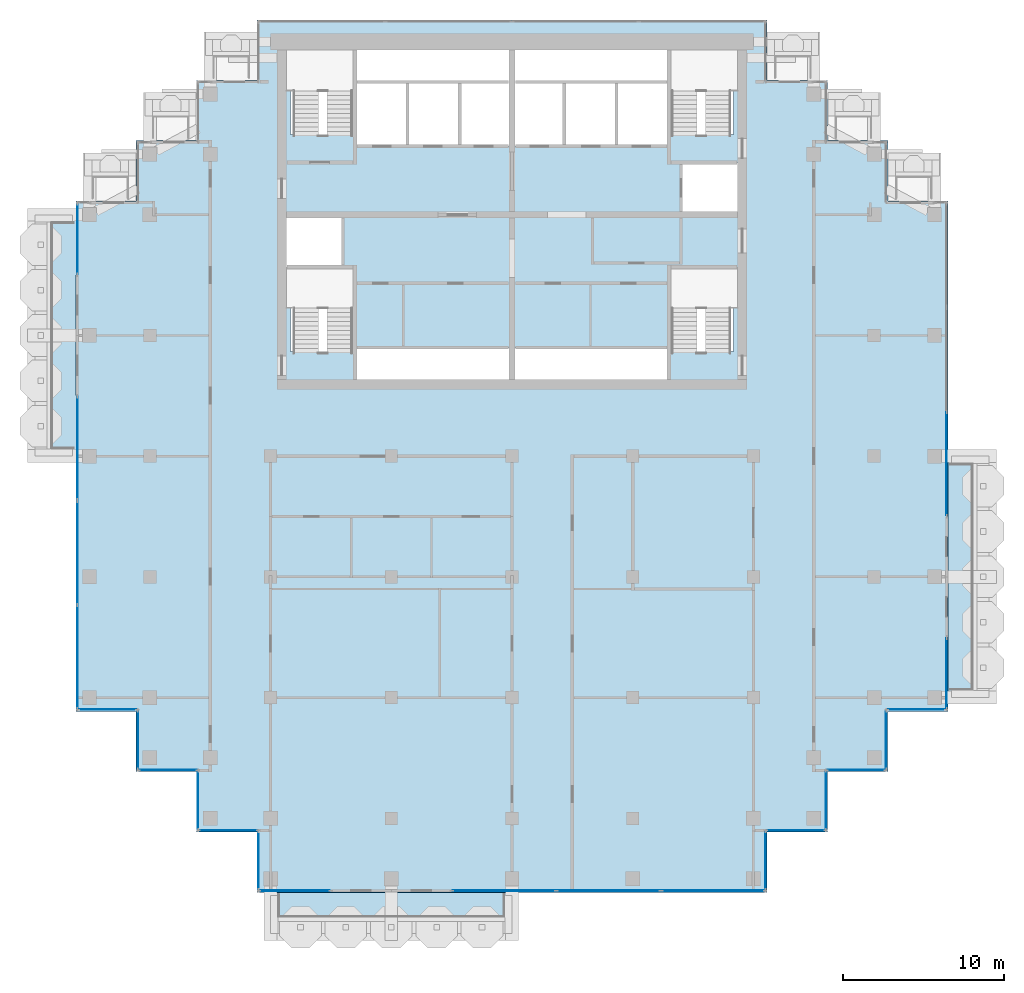
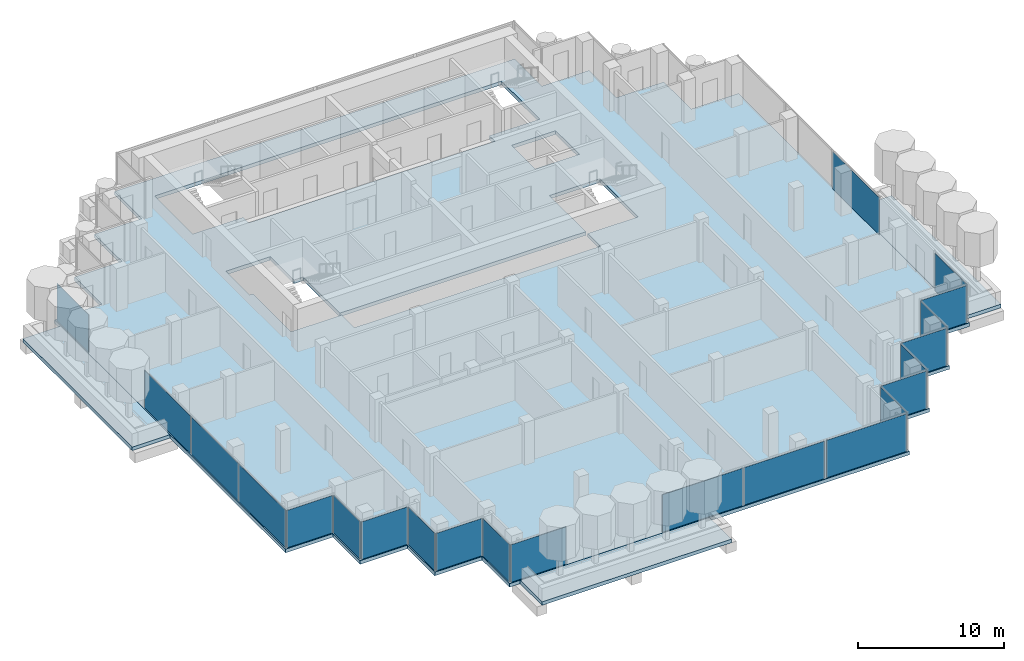
# One storey, part 8 of 18: 22 plates, 4 slabs, 20 elements without a shape of their own.
"""IFC4 building model written with IfcOpenShell, lengths in metres."""

from ifc_helpers import new_model, si_unit, direction, frame, origin, origin_2d, place, context, subcontext, project, spatial, polyline, rectangle, outline, extrude, material, layer, layer_set, type_object, element, aggregate, save


model = new_model("IFC4")

# Units and contexts
model_context = context("Model", 3, precision=1e-05, world=origin(), true_north=direction((0.0, 1.0)))
body_context = subcontext(model_context, "Body", "Model", "MODEL_VIEW")
ifc_project = project(units=[si_unit("LENGTHUNIT", "METRE"), si_unit("AREAUNIT", "SQUARE_METRE"), si_unit("VOLUMEUNIT", "CUBIC_METRE"), si_unit("PLANEANGLEUNIT", "RADIAN"), si_unit("MASSUNIT", "GRAM", prefix="KILO")], contexts=[model_context])

# Site, building, storey
site_placement = place(None, origin())
site = spatial("IfcSite", under=ifc_project, at=site_placement, CompositionType="ELEMENT")
building_placement = place(site_placement, origin())
building = spatial("IfcBuilding", under=site, at=building_placement, Name="Pilkhan Gate Tower", CompositionType="ELEMENT")
storey_placement = place(building_placement, frame((0.0, 0.0, 235.5)))
storey = spatial("IfcBuildingStorey", under=building, at=storey_placement, Name="L61", CompositionType="ELEMENT", Elevation=235.5)

# Slabs
ifc_material_1 = material(Name="Concrete C60/75", Category="concrete")
ifc_layer_1 = layer(ifc_material_1, 0.300048828125)
ifc_layer_set_1 = layer_set([ifc_layer_1], Name="Balcony tray slab TR300")
slab_type_1 = type_object("IfcSlabType", Name="Balcony tray slab TR300", PredefinedType="FLOOR", material=ifc_layer_set_1)
slab_1_placement = place(storey_placement, frame((0.0, 0.0, -0.300048828125)))
element("IfcSlab", 1, at=slab_1_placement, inside=storey, type_object=slab_type_1, Name="Balcony tray L61 S", PredefinedType="FLOOR", context=body_context, shape_type="SweptSolid", body=[
    extrude(outline(polyline([(75.0, 37.39990234375), (75.0, 40.39990234375), (60.0, 40.39990234375), (60.0, 37.39990234375), (75.0, 37.39990234375)])), origin(), (0.0, 0.0, 1.0), 0.300048828125),
])
slab_2_placement = place(storey_placement, frame((0.0, 0.0, -0.300048828125)))
element("IfcSlab", 2, at=slab_2_placement, inside=storey, type_object=slab_type_1, Name="Balcony tray L61 E", PredefinedType="FLOOR", context=body_context, shape_type="SweptSolid", body=[
    extrude(outline(polyline([(105.10009765625, 52.5), (105.10009765625, 67.5), (102.10009765625, 67.5), (102.10009765625, 52.5), (105.10009765625, 52.5)])), origin(), (0.0, 0.0, 1.0), 0.300048828125),
])
slab_3_placement = place(storey_placement, frame((0.0, 0.0, -0.300048828125)))
element("IfcSlab", 3, at=slab_3_placement, inside=storey, type_object=slab_type_1, Name="Balcony tray L61 W", PredefinedType="FLOOR", context=body_context, shape_type="SweptSolid", body=[
    extrude(outline(polyline([(47.89990234375, 67.5), (47.89990234375, 82.5), (44.89990234375, 82.5), (44.89990234375, 67.5), (47.89990234375, 67.5)])), origin(), (0.0, 0.0, 1.0), 0.300048828125),
])
ifc_material_2 = material(Name="Concrete C40/50", Category="concrete")
ifc_layer_2 = layer(ifc_material_2, 0.300048828125)
ifc_layer_set_2 = layer_set([ifc_layer_2], Name="Flat plate slab FP300")
slab_type_2 = type_object("IfcSlabType", Name="Flat plate slab FP300", PredefinedType="FLOOR", material=ifc_layer_set_2)
slab_4_placement = place(storey_placement, frame((0.0, 0.0, -0.300048828125)))
element("IfcSlab", 4, at=slab_4_placement, inside=storey, type_object=slab_type_2, Name="Floor slab L61", PredefinedType="FLOOR", context=body_context, shape_type="SweptSolid", body=[
    extrude(outline(polyline([(98.35009765625, 47.89990234375), (94.60009765625, 47.89990234375), (94.60009765625, 44.14990234375), (90.85009765625, 44.14990234375), (90.85009765625, 40.39990234375), (59.14990234375, 40.39990234375), (59.14990234375, 44.14990234375), (55.39990234375, 44.14990234375), (55.39990234375, 47.89990234375), (51.64990234375, 47.89990234375), (51.64990234375, 51.64990234375), (47.89990234375, 51.64990234375), (47.89990234375, 83.35009765625), (51.64990234375, 83.35009765625), (51.64990234375, 87.10009765625), (55.39990234375, 87.10009765625), (55.39990234375, 90.85009765625), (59.14990234375, 90.85009765625), (59.14990234375, 94.60009765625), (90.85009765625, 94.60009765625), (90.85009765625, 90.85009765625), (94.60009765625, 90.85009765625), (94.60009765625, 87.10009765625), (98.35009765625, 87.10009765625), (98.35009765625, 83.35009765625), (102.10009765625, 83.35009765625), (102.10009765625, 51.64990234375), (98.35009765625, 51.64990234375), (98.35009765625, 47.89990234375)]), holes=[polyline([(75.0, 72.25), (84.75, 72.25), (84.75, 74.0), (88.75, 74.0), (88.75, 79.25), (84.75, 79.25), (84.75, 74.25), (75.0, 74.25), (65.25, 74.25), (65.25, 79.25), (64.5, 79.25), (64.5, 82.5), (61.25, 82.5), (61.0, 82.5), (61.0, 79.25), (61.25, 79.25), (61.25, 74.0), (65.25, 74.0), (65.25, 72.25), (75.0, 72.25)]), polyline([(68.5, 86.75), (71.75, 86.75), (75.0, 86.75), (78.25, 86.75), (81.5, 86.75), (84.75, 86.75), (84.75, 87.5), (88.75, 87.5), (88.75, 92.75), (84.75, 92.75), (75.0, 92.75), (65.25, 92.75), (61.25, 92.75), (61.25, 87.5), (65.25, 87.5), (65.25, 86.75), (68.5, 86.75)]), polyline([(85.5, 85.75), (85.5, 82.5), (88.75, 82.5), (89.0, 82.5), (89.0, 85.75), (88.75, 85.75), (85.5, 85.75)])]), origin(), (0.0, 0.0, 1.0), 0.300048828125),
])

# Curtain wall, plate
ifc_material_3 = material(Name="Pale anodised aluminium, clear low-iron double glazing", Category="aluminium")
curtain_wall_type = type_object("IfcCurtainWallType", Name="Office unitised curtain wall CW-O2", PredefinedType="USERDEFINED", material=ifc_material_3)
curtain_wall_1_placement = place(storey_placement, origin())
curtain_wall_1 = element("IfcCurtainWall", 5, at=curtain_wall_1_placement, inside=storey, type_object=curtain_wall_type, Name="Office unitised curtain wall CW-O2 L61 E", ObjectType="UNITISED CURTAIN WALL", PredefinedType="USERDEFINED")
ifc_material_4 = material(Name="Clear low-iron double glazing", Category="glass")
ifc_layer_3 = layer(ifc_material_4, 0.031982421875)
ifc_layer_set_3 = layer_set([ifc_layer_3], Name="Glass panel CW-O2 32")
plate_type = type_object("IfcPlateType", Name="Glass panel CW-O2 32", PredefinedType="CURTAIN_PANEL", material=ifc_layer_set_3)
plate_1_placement = place(storey_placement, frame((102.0, 54.0, 0.0), z_axis=(0.0, 0.0, 1.0), x_axis=(0.0, 1.0, 0.0)))
plate_1 = element("IfcPlate", 6, at=plate_1_placement, type_object=plate_type, Name="CW-O2 panel 1", PredefinedType="CURTAIN_PANEL", context=body_context, shape_type="SweptSolid", body=[
    extrude(rectangle(XDim=4.3701171875, YDim=0.031982421875, at=origin_2d()), origin(), (0.0, 0.0, 1.0), 3.135009765625),
])
aggregate(curtain_wall_1, [plate_1])

curtain_wall_2_placement = place(storey_placement, origin())
curtain_wall_2 = element("IfcCurtainWall", 7, at=curtain_wall_2_placement, inside=storey, type_object=curtain_wall_type, Name="Office unitised curtain wall CW-O2 L61 E", ObjectType="UNITISED CURTAIN WALL", PredefinedType="USERDEFINED")
plate_2_placement = place(storey_placement, frame((102.0, 67.016357421875, 0.0), z_axis=(0.0, 0.0, 1.0), x_axis=(0.0, 1.0, 0.0)))
plate_2 = element("IfcPlate", 8, at=plate_2_placement, type_object=plate_type, Name="CW-O2 panel 1", PredefinedType="CURTAIN_PANEL", context=body_context, shape_type="SweptSolid", body=[
    extrude(rectangle(XDim=6.402587890625, YDim=0.031982421875, at=origin_2d()), origin(), (0.0, 0.0, 1.0), 3.135009765625),
])
aggregate(curtain_wall_2, [plate_2])

# Curtain wall, plates
curtain_wall_3_placement = place(storey_placement, origin())
curtain_wall_3 = element("IfcCurtainWall", 9, at=curtain_wall_3_placement, inside=storey, type_object=curtain_wall_type, Name="Office unitised curtain wall CW-O2 L61 W", ObjectType="UNITISED CURTAIN WALL", PredefinedType="USERDEFINED")
plate_3_placement = place(storey_placement, frame((48.0, 55.016357421875, 0.0), z_axis=(0.0, 0.0, 1.0), x_axis=(0.0, 1.0, 0.0)))
plate_3 = element("IfcPlate", 10, at=plate_3_placement, type_object=plate_type, Name="CW-O2 panel 1", PredefinedType="CURTAIN_PANEL", context=body_context, shape_type="SweptSolid", body=[
    extrude(rectangle(XDim=6.402587890625, YDim=0.031982421875, at=origin_2d()), origin(), (0.0, 0.0, 1.0), 3.135009765625),
])
plate_4_placement = place(storey_placement, frame((48.0, 61.483642578125, 0.0), z_axis=(0.0, 0.0, 1.0), x_axis=(0.0, 1.0, 0.0)))
plate_4 = element("IfcPlate", 11, at=plate_4_placement, type_object=plate_type, Name="CW-O2 panel 2", PredefinedType="CURTAIN_PANEL", context=body_context, shape_type="SweptSolid", body=[
    extrude(rectangle(XDim=6.402587890625, YDim=0.031982421875, at=origin_2d()), origin(), (0.0, 0.0, 1.0), 3.135009765625),
])
aggregate(curtain_wall_3, [plate_3, plate_4])

# Curtain wall, plate
curtain_wall_4_placement = place(storey_placement, origin())
curtain_wall_4 = element("IfcCurtainWall", 12, at=curtain_wall_4_placement, inside=storey, type_object=curtain_wall_type, Name="Office unitised curtain wall CW-O2 L61 W", ObjectType="UNITISED CURTAIN WALL", PredefinedType="USERDEFINED")
plate_5_placement = place(storey_placement, frame((48.0, 68.0, 0.0), z_axis=(0.0, 0.0, 1.0), x_axis=(0.0, 1.0, 0.0)))
plate_5 = element("IfcPlate", 13, at=plate_5_placement, type_object=plate_type, Name="CW-O2 panel 1", PredefinedType="CURTAIN_PANEL", context=body_context, shape_type="SweptSolid", body=[
    extrude(rectangle(XDim=6.3701171875, YDim=0.031982421875, at=origin_2d()), origin(), (0.0, 0.0, 1.0), 3.135009765625),
])
aggregate(curtain_wall_4, [plate_5])

curtain_wall_5_placement = place(storey_placement, origin())
curtain_wall_5 = element("IfcCurtainWall", 14, at=curtain_wall_5_placement, inside=storey, type_object=curtain_wall_type, Name="Office unitised curtain wall CW-O2 L61 W", ObjectType="UNITISED CURTAIN WALL", PredefinedType="USERDEFINED")
plate_6_placement = place(storey_placement, frame((48.0, 81.0, 0.0), z_axis=(0.0, 0.0, 1.0), x_axis=(0.0, 1.0, 0.0)))
plate_6 = element("IfcPlate", 15, at=plate_6_placement, type_object=plate_type, Name="CW-O2 panel 1", PredefinedType="CURTAIN_PANEL", context=body_context, shape_type="SweptSolid", body=[
    extrude(rectangle(XDim=4.3701171875, YDim=0.031982421875, at=origin_2d()), origin(), (0.0, 0.0, 1.0), 3.135009765625),
])
aggregate(curtain_wall_5, [plate_6])

curtain_wall_6_placement = place(storey_placement, origin())
curtain_wall_6 = element("IfcCurtainWall", 16, at=curtain_wall_6_placement, inside=storey, type_object=curtain_wall_type, Name="Office unitised curtain wall CW-O2 L61 S", ObjectType="UNITISED CURTAIN WALL", PredefinedType="USERDEFINED")
plate_7_placement = place(storey_placement, frame((49.875, 51.75, 0.0), z_axis=(0.0, 0.0, 1.0), x_axis=(1.0, 0.0, 0.0)))
plate_7 = element("IfcPlate", 17, at=plate_7_placement, type_object=plate_type, Name="CW-O2 panel 1", PredefinedType="CURTAIN_PANEL", context=body_context, shape_type="SweptSolid", body=[
    extrude(rectangle(XDim=3.6201171875, YDim=0.031982421875, at=origin_2d()), origin(), (0.0, 0.0, 1.0), 3.135009765625),
])
aggregate(curtain_wall_6, [plate_7])

curtain_wall_7_placement = place(storey_placement, origin())
curtain_wall_7 = element("IfcCurtainWall", 18, at=curtain_wall_7_placement, inside=storey, type_object=curtain_wall_type, Name="Office unitised curtain wall CW-O2 L61 W", ObjectType="UNITISED CURTAIN WALL", PredefinedType="USERDEFINED")
plate_8_placement = place(storey_placement, frame((51.75, 49.875, 0.0), z_axis=(0.0, 0.0, 1.0), x_axis=(0.0, 1.0, 0.0)))
plate_8 = element("IfcPlate", 19, at=plate_8_placement, type_object=plate_type, Name="CW-O2 panel 1", PredefinedType="CURTAIN_PANEL", context=body_context, shape_type="SweptSolid", body=[
    extrude(rectangle(XDim=3.6201171875, YDim=0.031982421875, at=origin_2d()), origin(), (0.0, 0.0, 1.0), 3.135009765625),
])
aggregate(curtain_wall_7, [plate_8])

curtain_wall_8_placement = place(storey_placement, origin())
curtain_wall_8 = element("IfcCurtainWall", 20, at=curtain_wall_8_placement, inside=storey, type_object=curtain_wall_type, Name="Office unitised curtain wall CW-O2 L61 S", ObjectType="UNITISED CURTAIN WALL", PredefinedType="USERDEFINED")
plate_9_placement = place(storey_placement, frame((53.625, 48.0, 0.0), z_axis=(0.0, 0.0, 1.0), x_axis=(1.0, 0.0, 0.0)))
plate_9 = element("IfcPlate", 21, at=plate_9_placement, type_object=plate_type, Name="CW-O2 panel 1", PredefinedType="CURTAIN_PANEL", context=body_context, shape_type="SweptSolid", body=[
    extrude(rectangle(XDim=3.6201171875, YDim=0.031982421875, at=origin_2d()), origin(), (0.0, 0.0, 1.0), 3.135009765625),
])
aggregate(curtain_wall_8, [plate_9])

curtain_wall_9_placement = place(storey_placement, origin())
curtain_wall_9 = element("IfcCurtainWall", 22, at=curtain_wall_9_placement, inside=storey, type_object=curtain_wall_type, Name="Office unitised curtain wall CW-O2 L61 W", ObjectType="UNITISED CURTAIN WALL", PredefinedType="USERDEFINED")
plate_10_placement = place(storey_placement, frame((55.5, 46.125, 0.0), z_axis=(0.0, 0.0, 1.0), x_axis=(0.0, 1.0, 0.0)))
plate_10 = element("IfcPlate", 23, at=plate_10_placement, type_object=plate_type, Name="CW-O2 panel 1", PredefinedType="CURTAIN_PANEL", context=body_context, shape_type="SweptSolid", body=[
    extrude(rectangle(XDim=3.6201171875, YDim=0.031982421875, at=origin_2d()), origin(), (0.0, 0.0, 1.0), 3.135009765625),
])
aggregate(curtain_wall_9, [plate_10])

curtain_wall_10_placement = place(storey_placement, origin())
curtain_wall_10 = element("IfcCurtainWall", 24, at=curtain_wall_10_placement, inside=storey, type_object=curtain_wall_type, Name="Office unitised curtain wall CW-O2 L61 S", ObjectType="UNITISED CURTAIN WALL", PredefinedType="USERDEFINED")
plate_11_placement = place(storey_placement, frame((57.375, 44.25, 0.0), z_axis=(0.0, 0.0, 1.0), x_axis=(1.0, 0.0, 0.0)))
plate_11 = element("IfcPlate", 25, at=plate_11_placement, type_object=plate_type, Name="CW-O2 panel 1", PredefinedType="CURTAIN_PANEL", context=body_context, shape_type="SweptSolid", body=[
    extrude(rectangle(XDim=3.6201171875, YDim=0.031982421875, at=origin_2d()), origin(), (0.0, 0.0, 1.0), 3.135009765625),
])
aggregate(curtain_wall_10, [plate_11])

curtain_wall_11_placement = place(storey_placement, origin())
curtain_wall_11 = element("IfcCurtainWall", 26, at=curtain_wall_11_placement, inside=storey, type_object=curtain_wall_type, Name="Office unitised curtain wall CW-O2 L61 W", ObjectType="UNITISED CURTAIN WALL", PredefinedType="USERDEFINED")
plate_12_placement = place(storey_placement, frame((59.25, 42.375, 0.0), z_axis=(0.0, 0.0, 1.0), x_axis=(0.0, 1.0, 0.0)))
plate_12 = element("IfcPlate", 27, at=plate_12_placement, type_object=plate_type, Name="CW-O2 panel 1", PredefinedType="CURTAIN_PANEL", context=body_context, shape_type="SweptSolid", body=[
    extrude(rectangle(XDim=3.6201171875, YDim=0.031982421875, at=origin_2d()), origin(), (0.0, 0.0, 1.0), 3.135009765625),
])
aggregate(curtain_wall_11, [plate_12])

curtain_wall_12_placement = place(storey_placement, origin())
curtain_wall_12 = element("IfcCurtainWall", 28, at=curtain_wall_12_placement, inside=storey, type_object=curtain_wall_type, Name="Office unitised curtain wall CW-O2 L61 S", ObjectType="UNITISED CURTAIN WALL", PredefinedType="USERDEFINED")
plate_13_placement = place(storey_placement, frame((61.5, 40.5, 0.0), z_axis=(0.0, 0.0, 1.0), x_axis=(1.0, 0.0, 0.0)))
plate_13 = element("IfcPlate", 29, at=plate_13_placement, type_object=plate_type, Name="CW-O2 panel 1", PredefinedType="CURTAIN_PANEL", context=body_context, shape_type="SweptSolid", body=[
    extrude(rectangle(XDim=4.3701171875, YDim=0.031982421875, at=origin_2d()), origin(), (0.0, 0.0, 1.0), 3.135009765625),
])
aggregate(curtain_wall_12, [plate_13])

# Curtain wall, plates
curtain_wall_13_placement = place(storey_placement, origin())
curtain_wall_13 = element("IfcCurtainWall", 30, at=curtain_wall_13_placement, inside=storey, type_object=curtain_wall_type, Name="Office unitised curtain wall CW-O2 L61 S", ObjectType="UNITISED CURTAIN WALL", PredefinedType="USERDEFINED")
plate_14_placement = place(storey_placement, frame((74.516357421875, 40.5, 0.0), z_axis=(0.0, 0.0, 1.0), x_axis=(1.0, 0.0, 0.0)))
plate_14 = element("IfcPlate", 31, at=plate_14_placement, type_object=plate_type, Name="CW-O2 panel 1", PredefinedType="CURTAIN_PANEL", context=body_context, shape_type="SweptSolid", body=[
    extrude(rectangle(XDim=6.402587890625, YDim=0.031982421875, at=origin_2d()), origin(), (0.0, 0.0, 1.0), 3.135009765625),
])
plate_15_placement = place(storey_placement, frame((80.983642578125, 40.5, 0.0), z_axis=(0.0, 0.0, 1.0), x_axis=(1.0, 0.0, 0.0)))
plate_15 = element("IfcPlate", 32, at=plate_15_placement, type_object=plate_type, Name="CW-O2 panel 2", PredefinedType="CURTAIN_PANEL", context=body_context, shape_type="SweptSolid", body=[
    extrude(rectangle(XDim=6.402587890625, YDim=0.031982421875, at=origin_2d()), origin(), (0.0, 0.0, 1.0), 3.135009765625),
])
aggregate(curtain_wall_13, [plate_14, plate_15])

# Curtain wall, plate
curtain_wall_14_placement = place(storey_placement, origin())
curtain_wall_14 = element("IfcCurtainWall", 33, at=curtain_wall_14_placement, inside=storey, type_object=curtain_wall_type, Name="Office unitised curtain wall CW-O2 L61 S", ObjectType="UNITISED CURTAIN WALL", PredefinedType="USERDEFINED")
plate_16_placement = place(storey_placement, frame((87.5, 40.5, 0.0), z_axis=(0.0, 0.0, 1.0), x_axis=(1.0, 0.0, 0.0)))
plate_16 = element("IfcPlate", 34, at=plate_16_placement, type_object=plate_type, Name="CW-O2 panel 1", PredefinedType="CURTAIN_PANEL", context=body_context, shape_type="SweptSolid", body=[
    extrude(rectangle(XDim=6.3701171875, YDim=0.031982421875, at=origin_2d()), origin(), (0.0, 0.0, 1.0), 3.135009765625),
])
aggregate(curtain_wall_14, [plate_16])

curtain_wall_15_placement = place(storey_placement, origin())
curtain_wall_15 = element("IfcCurtainWall", 35, at=curtain_wall_15_placement, inside=storey, type_object=curtain_wall_type, Name="Office unitised curtain wall CW-O2 L61 E", ObjectType="UNITISED CURTAIN WALL", PredefinedType="USERDEFINED")
plate_17_placement = place(storey_placement, frame((90.75, 42.375, 0.0), z_axis=(0.0, 0.0, 1.0), x_axis=(0.0, 1.0, 0.0)))
plate_17 = element("IfcPlate", 36, at=plate_17_placement, type_object=plate_type, Name="CW-O2 panel 1", PredefinedType="CURTAIN_PANEL", context=body_context, shape_type="SweptSolid", body=[
    extrude(rectangle(XDim=3.6201171875, YDim=0.031982421875, at=origin_2d()), origin(), (0.0, 0.0, 1.0), 3.135009765625),
])
aggregate(curtain_wall_15, [plate_17])

curtain_wall_16_placement = place(storey_placement, origin())
curtain_wall_16 = element("IfcCurtainWall", 37, at=curtain_wall_16_placement, inside=storey, type_object=curtain_wall_type, Name="Office unitised curtain wall CW-O2 L61 S", ObjectType="UNITISED CURTAIN WALL", PredefinedType="USERDEFINED")
plate_18_placement = place(storey_placement, frame((92.625, 44.25, 0.0), z_axis=(0.0, 0.0, 1.0), x_axis=(1.0, 0.0, 0.0)))
plate_18 = element("IfcPlate", 38, at=plate_18_placement, type_object=plate_type, Name="CW-O2 panel 1", PredefinedType="CURTAIN_PANEL", context=body_context, shape_type="SweptSolid", body=[
    extrude(rectangle(XDim=3.6201171875, YDim=0.031982421875, at=origin_2d()), origin(), (0.0, 0.0, 1.0), 3.135009765625),
])
aggregate(curtain_wall_16, [plate_18])

curtain_wall_17_placement = place(storey_placement, origin())
curtain_wall_17 = element("IfcCurtainWall", 39, at=curtain_wall_17_placement, inside=storey, type_object=curtain_wall_type, Name="Office unitised curtain wall CW-O2 L61 E", ObjectType="UNITISED CURTAIN WALL", PredefinedType="USERDEFINED")
plate_19_placement = place(storey_placement, frame((94.5, 46.125, 0.0), z_axis=(0.0, 0.0, 1.0), x_axis=(0.0, 1.0, 0.0)))
plate_19 = element("IfcPlate", 40, at=plate_19_placement, type_object=plate_type, Name="CW-O2 panel 1", PredefinedType="CURTAIN_PANEL", context=body_context, shape_type="SweptSolid", body=[
    extrude(rectangle(XDim=3.6201171875, YDim=0.031982421875, at=origin_2d()), origin(), (0.0, 0.0, 1.0), 3.135009765625),
])
aggregate(curtain_wall_17, [plate_19])

curtain_wall_18_placement = place(storey_placement, origin())
curtain_wall_18 = element("IfcCurtainWall", 41, at=curtain_wall_18_placement, inside=storey, type_object=curtain_wall_type, Name="Office unitised curtain wall CW-O2 L61 S", ObjectType="UNITISED CURTAIN WALL", PredefinedType="USERDEFINED")
plate_20_placement = place(storey_placement, frame((96.375, 48.0, 0.0), z_axis=(0.0, 0.0, 1.0), x_axis=(1.0, 0.0, 0.0)))
plate_20 = element("IfcPlate", 42, at=plate_20_placement, type_object=plate_type, Name="CW-O2 panel 1", PredefinedType="CURTAIN_PANEL", context=body_context, shape_type="SweptSolid", body=[
    extrude(rectangle(XDim=3.6201171875, YDim=0.031982421875, at=origin_2d()), origin(), (0.0, 0.0, 1.0), 3.135009765625),
])
aggregate(curtain_wall_18, [plate_20])

curtain_wall_19_placement = place(storey_placement, origin())
curtain_wall_19 = element("IfcCurtainWall", 43, at=curtain_wall_19_placement, inside=storey, type_object=curtain_wall_type, Name="Office unitised curtain wall CW-O2 L61 E", ObjectType="UNITISED CURTAIN WALL", PredefinedType="USERDEFINED")
plate_21_placement = place(storey_placement, frame((98.25, 49.875, 0.0), z_axis=(0.0, 0.0, 1.0), x_axis=(0.0, 1.0, 0.0)))
plate_21 = element("IfcPlate", 44, at=plate_21_placement, type_object=plate_type, Name="CW-O2 panel 1", PredefinedType="CURTAIN_PANEL", context=body_context, shape_type="SweptSolid", body=[
    extrude(rectangle(XDim=3.6201171875, YDim=0.031982421875, at=origin_2d()), origin(), (0.0, 0.0, 1.0), 3.135009765625),
])
aggregate(curtain_wall_19, [plate_21])

curtain_wall_20_placement = place(storey_placement, origin())
curtain_wall_20 = element("IfcCurtainWall", 45, at=curtain_wall_20_placement, inside=storey, type_object=curtain_wall_type, Name="Office unitised curtain wall CW-O2 L61 S", ObjectType="UNITISED CURTAIN WALL", PredefinedType="USERDEFINED")
plate_22_placement = place(storey_placement, frame((100.125, 51.75, 0.0), z_axis=(0.0, 0.0, 1.0), x_axis=(1.0, 0.0, 0.0)))
plate_22 = element("IfcPlate", 46, at=plate_22_placement, type_object=plate_type, Name="CW-O2 panel 1", PredefinedType="CURTAIN_PANEL", context=body_context, shape_type="SweptSolid", body=[
    extrude(rectangle(XDim=3.6201171875, YDim=0.031982421875, at=origin_2d()), origin(), (0.0, 0.0, 1.0), 3.135009765625),
])
aggregate(curtain_wall_20, [plate_22])

save(model, "model.ifc")
